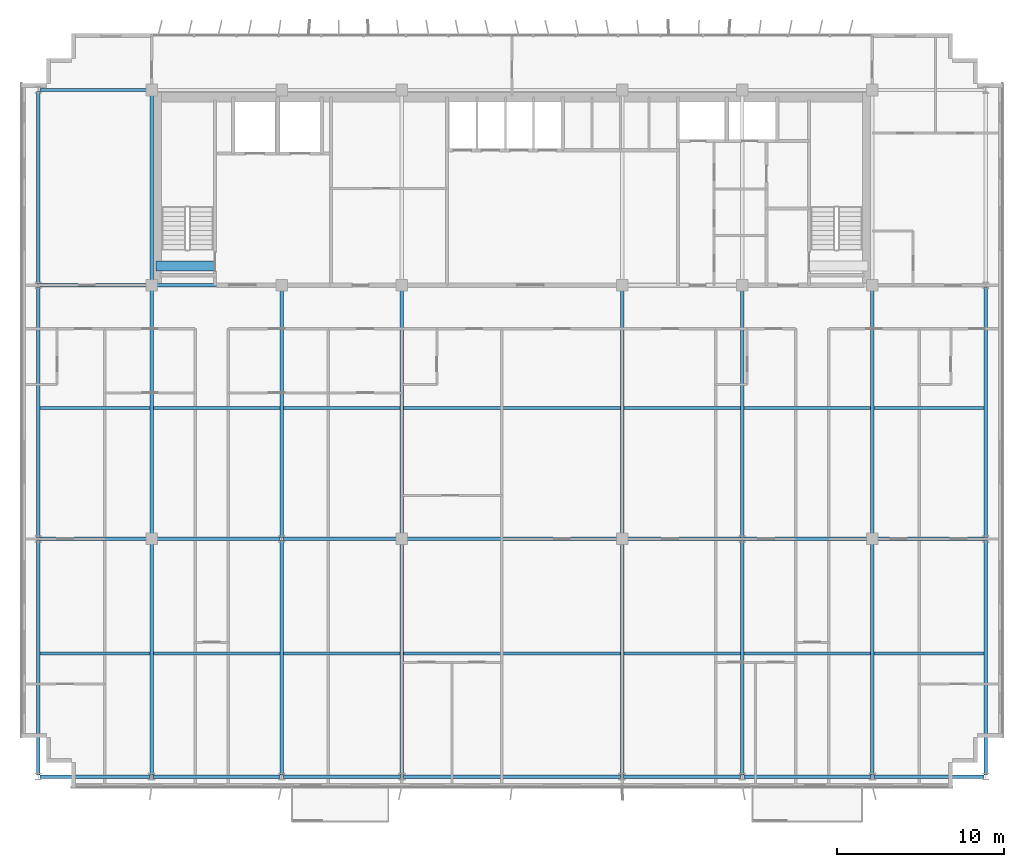
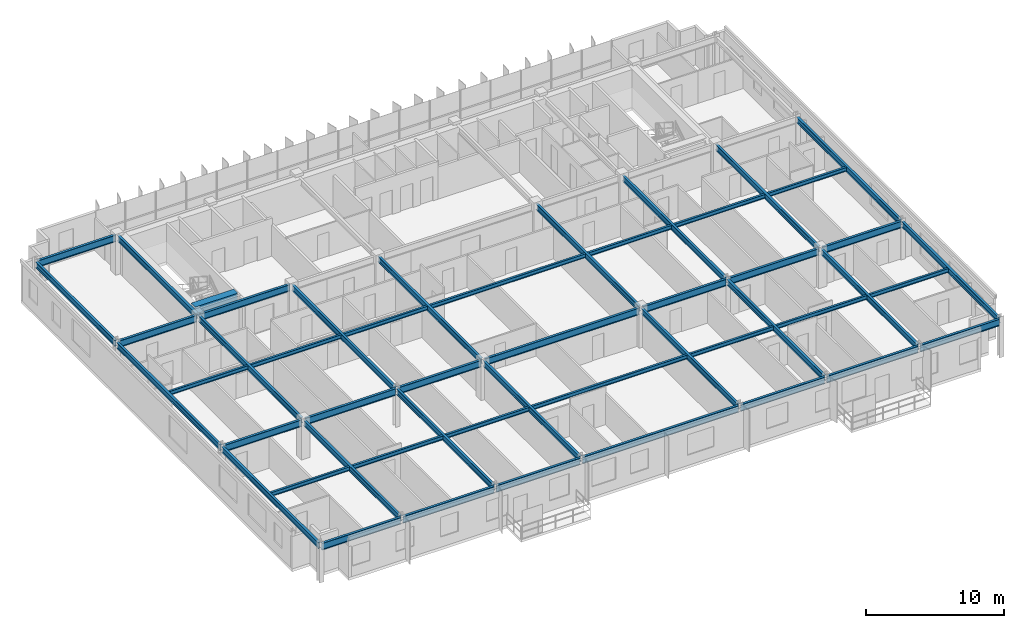
# One storey, part 3 of 21: 50 beams.
"""IFC4 building model written with IfcOpenShell, lengths in metres."""

from ifc_helpers import new_model, si_unit, direction, frame, origin, origin_2d, place, context, subcontext, project, spatial, rectangle, i_section, extrude, source, transform, mapped, material, material_profile, profile_set, type_object, element, save


model = new_model("IFC4")

# Units and contexts
model_context = context("Model", 3, precision=1e-05, world=origin(), true_north=direction((0.0, 1.0)))
body_context = subcontext(model_context, "Body", "Model", "MODEL_VIEW")
ifc_project = project(units=[si_unit("LENGTHUNIT", "METRE"), si_unit("AREAUNIT", "SQUARE_METRE"), si_unit("VOLUMEUNIT", "CUBIC_METRE"), si_unit("PLANEANGLEUNIT", "RADIAN"), si_unit("MASSUNIT", "GRAM", prefix="KILO")], contexts=[model_context])

# Site, building, storey
site_placement = place(None, origin())
site = spatial("IfcSite", under=ifc_project, at=site_placement, CompositionType="ELEMENT")
building_placement = place(site_placement, origin())
building = spatial("IfcBuilding", under=site, at=building_placement, Name="Trelvane Seafront Commons", CompositionType="ELEMENT")
storey_placement = place(building_placement, frame((0.0, 0.0, 153.699951171875)))
storey = spatial("IfcBuildingStorey", under=building, at=storey_placement, Name="L40", CompositionType="ELEMENT", Elevation=153.699951171875)

# Beams
ifc_material_1 = material(Name="Concrete C60/75", Category="concrete")
ifc_material_profile_1 = material_profile(ifc_material_1, rectangle(XDim=0.60009765625, YDim=0.89990234375, at=origin_2d()), Name="RC-600x900")
ifc_profile_set_1 = profile_set([ifc_material_profile_1], Name="Concrete C60/75")
beam_type_1 = type_object("IfcBeamType", Name="STR-LNT-RC600x900", PredefinedType="LINTEL", material=ifc_profile_set_1)
shared_shape_1 = source(origin(), body_context, "Body", "SweptSolid", [
    extrude(rectangle(XDim=0.60009765625, YDim=0.89990234375, at=origin_2d()), origin(), (0.0, 0.0, 1.0), 3.5498046875),
])
beam_1_placement = place(storey_placement, frame((15.85009765625, 34.550048828125, 2.900146484375), z_axis=(1.0, 0.0, 0.0), x_axis=(0.0, 1.0, 0.0)))
element("IfcBeam", 1, at=beam_1_placement, inside=storey, type_object=beam_type_1, Name="L40 Core Coupling Lintel Beam CB-67", PredefinedType="LINTEL", context=body_context, shape_type="MappedRepresentation", body=[
    mapped(shared_shape_1, transform((0.0, 0.0, 0.0), x_axis=(1.0, 0.0, 0.0), y_axis=(0.0, 1.0, 0.0), z_axis=(0.0, 0.0, 1.0), scale=1.0)),
])
ifc_material_2 = material(Name="Steel SM355 (S355)", Category="steel")
ifc_material_profile_2 = material_profile(ifc_material_2, i_section(OverallWidth=0.199951171875, OverallDepth=0.5, WebThickness=0.010009765625, FlangeThickness=0.01611328125, at=origin_2d()), Name="H-500x200x10x16")
ifc_profile_set_2 = profile_set([ifc_material_profile_2], Name="Steel SM355 (S355)")
beam_type_2 = type_object("IfcBeamType", Name="STR-BM-H500", PredefinedType="BEAM", material=ifc_profile_set_2)
shared_shape_2 = source(origin(), body_context, "Body", "SweptSolid", [
    extrude(i_section(OverallWidth=0.199951171875, OverallDepth=0.5, WebThickness=0.010009765625, FlangeThickness=0.01611328125, at=origin_2d()), origin(), (0.0, 0.0, 1.0), 14.89990234375),
])
for number, where, z_axis, x_axis, name in (
    (2, (15.60009765625, 18.35009765625, 3.10009765625), (0.0, 1.0, 0.0), (-1.0, 0.0, 0.0), "L40 Primary Girder G-33"),
    (3, (30.60009765625, 18.35009765625, 3.10009765625), (0.0, 1.0, 0.0), (-1.0, 0.0, 0.0), "L40 Primary Girder G-39"),
    (4, (43.800048828125, 18.35009765625, 3.10009765625), (0.0, 1.0, 0.0), (-1.0, 0.0, 0.0), "L40 Primary Girder G-42"),
    (5, (58.800048828125, 18.35009765625, 3.10009765625), (0.0, 1.0, 0.0), (-1.0, 0.0, 0.0), "L40 Primary Girder G-48"),
):
    element("IfcBeam", number, at=place(storey_placement, frame(where, z_axis=z_axis, x_axis=x_axis)), inside=storey, type_object=beam_type_2, Name=name, PredefinedType="BEAM", context=body_context, shape_type="MappedRepresentation", body=[
        mapped(shared_shape_2, transform((0.0, 0.0, 0.0), x_axis=(1.0, 0.0, 0.0), y_axis=(0.0, 1.0, 0.0), z_axis=(0.0, 0.0, 1.0), scale=1.0)),
    ])
shared_shape_3 = source(origin(), body_context, "Body", "SweptSolid", [
    extrude(i_section(OverallWidth=0.199951171875, OverallDepth=0.5, WebThickness=0.010009765625, FlangeThickness=0.01611328125, at=origin_2d()), origin(), (0.0, 0.0, 1.0), 11.39990234375),
])
beam_2_placement = place(storey_placement, frame((15.60009765625, 33.550048828125, 3.10009765625), z_axis=(0.0, 1.0, 0.0), x_axis=(-1.0, 0.0, 0.0)))
element("IfcBeam", 6, at=beam_2_placement, inside=storey, type_object=beam_type_2, Name="L40 Primary Girder G-34", PredefinedType="BEAM", context=body_context, shape_type="MappedRepresentation", body=[
    mapped(shared_shape_3, transform((0.0, 0.0, 0.0), x_axis=(1.0, 0.0, 0.0), y_axis=(0.0, 1.0, 0.0), z_axis=(0.0, 0.0, 1.0), scale=1.0)),
])
ifc_material_profile_3 = material_profile(ifc_material_2, i_section(OverallWidth=0.175048828125, OverallDepth=0.35009765625, WebThickness=0.007080078125, FlangeThickness=0.010986328125, at=origin_2d()), Name="H-350x175x7x11")
ifc_profile_set_3 = profile_set([ifc_material_profile_3], Name="Steel SM355 (S355)")
beam_type_3 = type_object("IfcBeamType", Name="STR-JST-H350", PredefinedType="JOIST", material=ifc_profile_set_3)
shared_shape_4 = source(origin(), body_context, "Body", "SweptSolid", [
    extrude(i_section(OverallWidth=0.175048828125, OverallDepth=0.35009765625, WebThickness=0.007080078125, FlangeThickness=0.010986328125, at=origin_2d()), origin(), (0.0, 0.0, 1.0), 6.60009765625),
])
for number, where, z_axis, x_axis, name in (
    (7, (8.89990234375, 11.324951171875, 3.175048828125), (1.0, 0.0, 0.0), (0.0, 1.0, 0.0), "L40 Secondary Floor Joist B-53"),
    (8, (58.89990234375, 11.324951171875, 3.175048828125), (1.0, 0.0, 0.0), (0.0, 1.0, 0.0), "L40 Secondary Floor Joist B-59"),
    (9, (8.89990234375, 26.050048828125, 3.175048828125), (1.0, 0.0, 0.0), (0.0, 1.0, 0.0), "L40 Secondary Floor Joist B-60"),
    (10, (58.89990234375, 26.050048828125, 3.175048828125), (1.0, 0.0, 0.0), (0.0, 1.0, 0.0), "L40 Secondary Floor Joist B-66"),
):
    element("IfcBeam", number, at=place(storey_placement, frame(where, z_axis=z_axis, x_axis=x_axis)), inside=storey, type_object=beam_type_3, Name=name, PredefinedType="JOIST", context=body_context, shape_type="MappedRepresentation", body=[
        mapped(shared_shape_4, transform((0.0, 0.0, 0.0), x_axis=(1.0, 0.0, 0.0), y_axis=(0.0, 1.0, 0.0), z_axis=(0.0, 0.0, 1.0), scale=1.0)),
    ])
shared_shape_5 = source(origin(), body_context, "Body", "SweptSolid", [
    extrude(i_section(OverallWidth=0.175048828125, OverallDepth=0.35009765625, WebThickness=0.007080078125, FlangeThickness=0.010986328125, at=origin_2d()), origin(), (0.0, 0.0, 1.0), 7.60009765625),
])
for number, where, z_axis, x_axis, name in (
    (11, (15.699951171875, 11.324951171875, 3.175048828125), (1.0, 0.0, 0.0), (0.0, 1.0, 0.0), "L40 Secondary Floor Joist B-54"),
    (12, (15.699951171875, 26.050048828125, 3.175048828125), (1.0, 0.0, 0.0), (0.0, 1.0, 0.0), "L40 Secondary Floor Joist B-61"),
):
    element("IfcBeam", number, at=place(storey_placement, frame(where, z_axis=z_axis, x_axis=x_axis)), inside=storey, type_object=beam_type_3, Name=name, PredefinedType="JOIST", context=body_context, shape_type="MappedRepresentation", body=[
        mapped(shared_shape_5, transform((0.0, 0.0, 0.0), x_axis=(1.0, 0.0, 0.0), y_axis=(0.0, 1.0, 0.0), z_axis=(0.0, 0.0, 1.0), scale=1.0)),
    ])
shared_shape_6 = source(origin(), body_context, "Body", "SweptSolid", [
    extrude(i_section(OverallWidth=0.175048828125, OverallDepth=0.35009765625, WebThickness=0.007080078125, FlangeThickness=0.010986328125, at=origin_2d()), origin(), (0.0, 0.0, 1.0), 7.0),
])
for number, where, z_axis, x_axis, name in (
    (13, (23.5, 11.324951171875, 3.175048828125), (1.0, 0.0, 0.0), (0.0, 1.0, 0.0), "L40 Secondary Floor Joist B-55"),
    (14, (43.89990234375, 11.324951171875, 3.175048828125), (1.0, 0.0, 0.0), (0.0, 1.0, 0.0), "L40 Secondary Floor Joist B-57"),
    (15, (23.5, 26.050048828125, 3.175048828125), (1.0, 0.0, 0.0), (0.0, 1.0, 0.0), "L40 Secondary Floor Joist B-62"),
    (16, (43.89990234375, 26.050048828125, 3.175048828125), (1.0, 0.0, 0.0), (0.0, 1.0, 0.0), "L40 Secondary Floor Joist B-64"),
):
    element("IfcBeam", number, at=place(storey_placement, frame(where, z_axis=z_axis, x_axis=x_axis)), inside=storey, type_object=beam_type_3, Name=name, PredefinedType="JOIST", context=body_context, shape_type="MappedRepresentation", body=[
        mapped(shared_shape_6, transform((0.0, 0.0, 0.0), x_axis=(1.0, 0.0, 0.0), y_axis=(0.0, 1.0, 0.0), z_axis=(0.0, 0.0, 1.0), scale=1.0)),
    ])
shared_shape_7 = source(origin(), body_context, "Body", "SweptSolid", [
    extrude(i_section(OverallWidth=0.175048828125, OverallDepth=0.35009765625, WebThickness=0.007080078125, FlangeThickness=0.010986328125, at=origin_2d()), origin(), (0.0, 0.0, 1.0), 13.0),
])
for number, where, z_axis, x_axis, name in (
    (17, (30.699951171875, 11.324951171875, 3.175048828125), (1.0, 0.0, 0.0), (0.0, 1.0, 0.0), "L40 Secondary Floor Joist B-56"),
    (18, (30.699951171875, 26.050048828125, 3.175048828125), (1.0, 0.0, 0.0), (0.0, 1.0, 0.0), "L40 Secondary Floor Joist B-63"),
):
    element("IfcBeam", number, at=place(storey_placement, frame(where, z_axis=z_axis, x_axis=x_axis)), inside=storey, type_object=beam_type_3, Name=name, PredefinedType="JOIST", context=body_context, shape_type="MappedRepresentation", body=[
        mapped(shared_shape_7, transform((0.0, 0.0, 0.0), x_axis=(1.0, 0.0, 0.0), y_axis=(0.0, 1.0, 0.0), z_axis=(0.0, 0.0, 1.0), scale=1.0)),
    ])
shared_shape_8 = source(origin(), body_context, "Body", "SweptSolid", [
    extrude(i_section(OverallWidth=0.175048828125, OverallDepth=0.35009765625, WebThickness=0.007080078125, FlangeThickness=0.010986328125, at=origin_2d()), origin(), (0.0, 0.0, 1.0), 7.599853515625),
])
for number, where, z_axis, x_axis, name in (
    (19, (51.10009765625, 11.324951171875, 3.175048828125), (1.0, 0.0, 0.0), (0.0, 1.0, 0.0), "L40 Secondary Floor Joist B-58"),
    (20, (51.10009765625, 26.050048828125, 3.175048828125), (1.0, 0.0, 0.0), (0.0, 1.0, 0.0), "L40 Secondary Floor Joist B-65"),
):
    element("IfcBeam", number, at=place(storey_placement, frame(where, z_axis=z_axis, x_axis=x_axis)), inside=storey, type_object=beam_type_3, Name=name, PredefinedType="JOIST", context=body_context, shape_type="MappedRepresentation", body=[
        mapped(shared_shape_8, transform((0.0, 0.0, 0.0), x_axis=(1.0, 0.0, 0.0), y_axis=(0.0, 1.0, 0.0), z_axis=(0.0, 0.0, 1.0), scale=1.0)),
    ])
ifc_material_profile_4 = material_profile(ifc_material_2, i_section(OverallWidth=0.199951171875, OverallDepth=0.60009765625, WebThickness=0.010986328125, FlangeThickness=0.01708984375, at=origin_2d()), Name="H-600x200x11x17")
ifc_profile_set_4 = profile_set([ifc_material_profile_4], Name="Steel SM355 (S355)")
beam_type_4 = type_object("IfcBeamType", Name="STR-SPD-H600", PredefinedType="SPANDREL", material=ifc_profile_set_4)
shared_shape_9 = source(origin(), body_context, "Body", "SweptSolid", [
    extrude(i_section(OverallWidth=0.199951171875, OverallDepth=0.60009765625, WebThickness=0.010986328125, FlangeThickness=0.01708984375, at=origin_2d()), origin(), (0.0, 0.0, 1.0), 6.60986328125),
])
for number, where, z_axis, x_axis, name in (
    (21, (8.89501953125, 3.949951171875, 3.050048828125), (1.0, 0.0, 0.0), (0.0, 1.0, 0.0), "L40 Primary Girder G-01"),
    (22, (58.89501953125, 3.949951171875, 3.050048828125), (1.0, 0.0, 0.0), (0.0, 1.0, 0.0), "L40 Primary Girder G-07"),
):
    element("IfcBeam", number, at=place(storey_placement, frame(where, z_axis=z_axis, x_axis=x_axis)), inside=storey, type_object=beam_type_4, Name=name, PredefinedType="SPANDREL", context=body_context, shape_type="MappedRepresentation", body=[
        mapped(shared_shape_9, transform((0.0, 0.0, 0.0), x_axis=(1.0, 0.0, 0.0), y_axis=(0.0, 1.0, 0.0), z_axis=(0.0, 0.0, 1.0), scale=1.0)),
    ])
shared_shape_10 = source(origin(), body_context, "Body", "SweptSolid", [
    extrude(i_section(OverallWidth=0.199951171875, OverallDepth=0.60009765625, WebThickness=0.010986328125, FlangeThickness=0.01708984375, at=origin_2d()), origin(), (0.0, 0.0, 1.0), 7.60986328125),
])
beam_3_placement = place(storey_placement, frame((15.695068359375, 3.949951171875, 3.050048828125), z_axis=(1.0, 0.0, 0.0), x_axis=(0.0, 1.0, 0.0)))
element("IfcBeam", 23, at=beam_3_placement, inside=storey, type_object=beam_type_4, Name="L40 Primary Girder G-02", PredefinedType="SPANDREL", context=body_context, shape_type="MappedRepresentation", body=[
    mapped(shared_shape_10, transform((0.0, 0.0, 0.0), x_axis=(1.0, 0.0, 0.0), y_axis=(0.0, 1.0, 0.0), z_axis=(0.0, 0.0, 1.0), scale=1.0)),
])
shared_shape_11 = source(origin(), body_context, "Body", "SweptSolid", [
    extrude(i_section(OverallWidth=0.199951171875, OverallDepth=0.60009765625, WebThickness=0.010986328125, FlangeThickness=0.01708984375, at=origin_2d()), origin(), (0.0, 0.0, 1.0), 7.009765625),
])
beam_4_placement = place(storey_placement, frame((23.4951171875, 3.949951171875, 3.050048828125), z_axis=(1.0, 0.0, 0.0), x_axis=(0.0, 1.0, 0.0)))
element("IfcBeam", 24, at=beam_4_placement, inside=storey, type_object=beam_type_4, Name="L40 Primary Girder G-03", PredefinedType="SPANDREL", context=body_context, shape_type="MappedRepresentation", body=[
    mapped(shared_shape_11, transform((0.0, 0.0, 0.0), x_axis=(1.0, 0.0, 0.0), y_axis=(0.0, 1.0, 0.0), z_axis=(0.0, 0.0, 1.0), scale=1.0)),
])
shared_shape_12 = source(origin(), body_context, "Body", "SweptSolid", [
    extrude(i_section(OverallWidth=0.199951171875, OverallDepth=0.60009765625, WebThickness=0.010986328125, FlangeThickness=0.01708984375, at=origin_2d()), origin(), (0.0, 0.0, 1.0), 13.010009765625),
])
beam_5_placement = place(storey_placement, frame((30.695068359375, 3.949951171875, 3.050048828125), z_axis=(1.0, 0.0, 0.0), x_axis=(0.0, 1.0, 0.0)))
element("IfcBeam", 25, at=beam_5_placement, inside=storey, type_object=beam_type_4, Name="L40 Primary Girder G-04", PredefinedType="SPANDREL", context=body_context, shape_type="MappedRepresentation", body=[
    mapped(shared_shape_12, transform((0.0, 0.0, 0.0), x_axis=(1.0, 0.0, 0.0), y_axis=(0.0, 1.0, 0.0), z_axis=(0.0, 0.0, 1.0), scale=1.0)),
])
shared_shape_13 = source(origin(), body_context, "Body", "SweptSolid", [
    extrude(i_section(OverallWidth=0.199951171875, OverallDepth=0.60009765625, WebThickness=0.010986328125, FlangeThickness=0.01708984375, at=origin_2d()), origin(), (0.0, 0.0, 1.0), 7.010009765625),
])
beam_6_placement = place(storey_placement, frame((43.89501953125, 3.949951171875, 3.050048828125), z_axis=(1.0, 0.0, 0.0), x_axis=(0.0, 1.0, 0.0)))
element("IfcBeam", 26, at=beam_6_placement, inside=storey, type_object=beam_type_4, Name="L40 Primary Girder G-05", PredefinedType="SPANDREL", context=body_context, shape_type="MappedRepresentation", body=[
    mapped(shared_shape_13, transform((0.0, 0.0, 0.0), x_axis=(1.0, 0.0, 0.0), y_axis=(0.0, 1.0, 0.0), z_axis=(0.0, 0.0, 1.0), scale=1.0)),
])
shared_shape_14 = source(origin(), body_context, "Body", "SweptSolid", [
    extrude(i_section(OverallWidth=0.199951171875, OverallDepth=0.60009765625, WebThickness=0.010986328125, FlangeThickness=0.01708984375, at=origin_2d()), origin(), (0.0, 0.0, 1.0), 7.610107421875),
])
beam_7_placement = place(storey_placement, frame((51.094970703125, 3.949951171875, 3.050048828125), z_axis=(1.0, 0.0, 0.0), x_axis=(0.0, 1.0, 0.0)))
element("IfcBeam", 27, at=beam_7_placement, inside=storey, type_object=beam_type_4, Name="L40 Primary Girder G-06", PredefinedType="SPANDREL", context=body_context, shape_type="MappedRepresentation", body=[
    mapped(shared_shape_14, transform((0.0, 0.0, 0.0), x_axis=(1.0, 0.0, 0.0), y_axis=(0.0, 1.0, 0.0), z_axis=(0.0, 0.0, 1.0), scale=1.0)),
])
shared_shape_15 = source(origin(), body_context, "Body", "SweptSolid", [
    extrude(i_section(OverallWidth=0.199951171875, OverallDepth=0.60009765625, WebThickness=0.010986328125, FlangeThickness=0.01708984375, at=origin_2d()), origin(), (0.0, 0.0, 1.0), 6.554931640625),
])
for number, where, z_axis, x_axis, name in (
    (28, (8.89501953125, 18.199951171875, 3.050048828125), (1.0, 0.0, 0.0), (0.0, 1.0, 0.0), "L40 Primary Girder G-08"),
    (29, (58.949951171875, 18.199951171875, 3.050048828125), (1.0, 0.0, 0.0), (0.0, 1.0, 0.0), "L40 Primary Girder G-14"),
    (30, (8.89501953125, 33.39990234375, 3.050048828125), (1.0, 0.0, 0.0), (0.0, 1.0, 0.0), "L40 Primary Girder G-15"),
    (31, (8.89501953125, 45.10009765625, 3.050048828125), (1.0, 0.0, 0.0), (0.0, 1.0, 0.0), "L40 Primary Girder G-22"),
):
    element("IfcBeam", number, at=place(storey_placement, frame(where, z_axis=z_axis, x_axis=x_axis)), inside=storey, type_object=beam_type_4, Name=name, PredefinedType="SPANDREL", context=body_context, shape_type="MappedRepresentation", body=[
        mapped(shared_shape_15, transform((0.0, 0.0, 0.0), x_axis=(1.0, 0.0, 0.0), y_axis=(0.0, 1.0, 0.0), z_axis=(0.0, 0.0, 1.0), scale=1.0)),
    ])
shared_shape_16 = source(origin(), body_context, "Body", "SweptSolid", [
    extrude(i_section(OverallWidth=0.199951171875, OverallDepth=0.60009765625, WebThickness=0.010986328125, FlangeThickness=0.01708984375, at=origin_2d()), origin(), (0.0, 0.0, 1.0), 7.554931640625),
])
for number, where, z_axis, x_axis, name in (
    (32, (15.75, 18.199951171875, 3.050048828125), (1.0, 0.0, 0.0), (0.0, 1.0, 0.0), "L40 Primary Girder G-09"),
    (33, (51.094970703125, 18.199951171875, 3.050048828125), (1.0, 0.0, 0.0), (0.0, 1.0, 0.0), "L40 Primary Girder G-13"),
):
    element("IfcBeam", number, at=place(storey_placement, frame(where, z_axis=z_axis, x_axis=x_axis)), inside=storey, type_object=beam_type_4, Name=name, PredefinedType="SPANDREL", context=body_context, shape_type="MappedRepresentation", body=[
        mapped(shared_shape_16, transform((0.0, 0.0, 0.0), x_axis=(1.0, 0.0, 0.0), y_axis=(0.0, 1.0, 0.0), z_axis=(0.0, 0.0, 1.0), scale=1.0)),
    ])
shared_shape_17 = source(origin(), body_context, "Body", "SweptSolid", [
    extrude(i_section(OverallWidth=0.199951171875, OverallDepth=0.60009765625, WebThickness=0.010986328125, FlangeThickness=0.01708984375, at=origin_2d()), origin(), (0.0, 0.0, 1.0), 6.954833984375),
])
beam_8_placement = place(storey_placement, frame((23.4951171875, 18.199951171875, 3.050048828125), z_axis=(1.0, 0.0, 0.0), x_axis=(0.0, 1.0, 0.0)))
element("IfcBeam", 34, at=beam_8_placement, inside=storey, type_object=beam_type_4, Name="L40 Primary Girder G-10", PredefinedType="SPANDREL", context=body_context, shape_type="MappedRepresentation", body=[
    mapped(shared_shape_17, transform((0.0, 0.0, 0.0), x_axis=(1.0, 0.0, 0.0), y_axis=(0.0, 1.0, 0.0), z_axis=(0.0, 0.0, 1.0), scale=1.0)),
])
shared_shape_18 = source(origin(), body_context, "Body", "SweptSolid", [
    extrude(i_section(OverallWidth=0.199951171875, OverallDepth=0.60009765625, WebThickness=0.010986328125, FlangeThickness=0.01708984375, at=origin_2d()), origin(), (0.0, 0.0, 1.0), 12.89990234375),
])
beam_9_placement = place(storey_placement, frame((30.75, 18.199951171875, 3.050048828125), z_axis=(1.0, 0.0, 0.0), x_axis=(0.0, 1.0, 0.0)))
element("IfcBeam", 35, at=beam_9_placement, inside=storey, type_object=beam_type_4, Name="L40 Primary Girder G-11", PredefinedType="SPANDREL", context=body_context, shape_type="MappedRepresentation", body=[
    mapped(shared_shape_18, transform((0.0, 0.0, 0.0), x_axis=(1.0, 0.0, 0.0), y_axis=(0.0, 1.0, 0.0), z_axis=(0.0, 0.0, 1.0), scale=1.0)),
])
shared_shape_19 = source(origin(), body_context, "Body", "SweptSolid", [
    extrude(i_section(OverallWidth=0.199951171875, OverallDepth=0.60009765625, WebThickness=0.010986328125, FlangeThickness=0.01708984375, at=origin_2d()), origin(), (0.0, 0.0, 1.0), 6.955078125),
])
beam_10_placement = place(storey_placement, frame((43.949951171875, 18.199951171875, 3.050048828125), z_axis=(1.0, 0.0, 0.0), x_axis=(0.0, 1.0, 0.0)))
element("IfcBeam", 36, at=beam_10_placement, inside=storey, type_object=beam_type_4, Name="L40 Primary Girder G-12", PredefinedType="SPANDREL", context=body_context, shape_type="MappedRepresentation", body=[
    mapped(shared_shape_19, transform((0.0, 0.0, 0.0), x_axis=(1.0, 0.0, 0.0), y_axis=(0.0, 1.0, 0.0), z_axis=(0.0, 0.0, 1.0), scale=1.0)),
])
shared_shape_20 = source(origin(), body_context, "Body", "SweptSolid", [
    extrude(i_section(OverallWidth=0.199951171875, OverallDepth=0.60009765625, WebThickness=0.010986328125, FlangeThickness=0.01708984375, at=origin_2d()), origin(), (0.0, 0.0, 1.0), 7.5),
])
beam_11_placement = place(storey_placement, frame((15.75, 33.39990234375, 3.050048828125), z_axis=(1.0, 0.0, 0.0), x_axis=(0.0, 1.0, 0.0)))
element("IfcBeam", 37, at=beam_11_placement, inside=storey, type_object=beam_type_4, Name="L40 Primary Girder G-16", PredefinedType="SPANDREL", context=body_context, shape_type="MappedRepresentation", body=[
    mapped(shared_shape_20, transform((0.0, 0.0, 0.0), x_axis=(1.0, 0.0, 0.0), y_axis=(0.0, 1.0, 0.0), z_axis=(0.0, 0.0, 1.0), scale=1.0)),
])
shared_shape_21 = source(origin(), body_context, "Body", "SweptSolid", [
    extrude(i_section(OverallWidth=0.199951171875, OverallDepth=0.5, WebThickness=0.010009765625, FlangeThickness=0.01611328125, at=origin_2d()), origin(), (0.0, 0.0, 1.0), 14.06005859375),
])
for number, where, z_axis, x_axis, name in (
    (38, (8.800048828125, 4.044921875, 3.10009765625), (0.0, 1.0, 0.0), (-1.0, 0.0, 0.0), "L40 Primary Girder G-29"),
    (39, (23.39990234375, 4.044921875, 3.10009765625), (0.0, 1.0, 0.0), (-1.0, 0.0, 0.0), "L40 Primary Girder G-35"),
    (40, (51.0, 4.044921875, 3.10009765625), (0.0, 1.0, 0.0), (-1.0, 0.0, 0.0), "L40 Primary Girder G-44"),
    (41, (65.60009765625, 4.044921875, 3.10009765625), (0.0, 1.0, 0.0), (-1.0, 0.0, 0.0), "L40 Primary Girder G-50"),
):
    element("IfcBeam", number, at=place(storey_placement, frame(where, z_axis=z_axis, x_axis=x_axis)), inside=storey, type_object=beam_type_2, Name=name, PredefinedType="BEAM", context=body_context, shape_type="MappedRepresentation", body=[
        mapped(shared_shape_21, transform((0.0, 0.0, 0.0), x_axis=(1.0, 0.0, 0.0), y_axis=(0.0, 1.0, 0.0), z_axis=(0.0, 0.0, 1.0), scale=1.0)),
    ])
shared_shape_22 = source(origin(), body_context, "Body", "SweptSolid", [
    extrude(i_section(OverallWidth=0.199951171875, OverallDepth=0.5, WebThickness=0.010009765625, FlangeThickness=0.01611328125, at=origin_2d()), origin(), (0.0, 0.0, 1.0), 15.010009765625),
])
for number, where, z_axis, x_axis, name in (
    (42, (8.800048828125, 18.294921875, 3.10009765625), (0.0, 1.0, 0.0), (-1.0, 0.0, 0.0), "L40 Primary Girder G-30"),
    (43, (65.60009765625, 18.294921875, 3.10009765625), (0.0, 1.0, 0.0), (-1.0, 0.0, 0.0), "L40 Primary Girder G-51"),
):
    element("IfcBeam", number, at=place(storey_placement, frame(where, z_axis=z_axis, x_axis=x_axis)), inside=storey, type_object=beam_type_2, Name=name, PredefinedType="BEAM", context=body_context, shape_type="MappedRepresentation", body=[
        mapped(shared_shape_22, transform((0.0, 0.0, 0.0), x_axis=(1.0, 0.0, 0.0), y_axis=(0.0, 1.0, 0.0), z_axis=(0.0, 0.0, 1.0), scale=1.0)),
    ])
shared_shape_23 = source(origin(), body_context, "Body", "SweptSolid", [
    extrude(i_section(OverallWidth=0.199951171875, OverallDepth=0.5, WebThickness=0.010009765625, FlangeThickness=0.01611328125, at=origin_2d()), origin(), (0.0, 0.0, 1.0), 11.509765625),
])
beam_12_placement = place(storey_placement, frame((8.800048828125, 33.4951171875, 3.10009765625), z_axis=(0.0, 1.0, 0.0), x_axis=(-1.0, 0.0, 0.0)))
element("IfcBeam", 44, at=beam_12_placement, inside=storey, type_object=beam_type_2, Name="L40 Primary Girder G-31", PredefinedType="BEAM", context=body_context, shape_type="MappedRepresentation", body=[
    mapped(shared_shape_23, transform((0.0, 0.0, 0.0), x_axis=(1.0, 0.0, 0.0), y_axis=(0.0, 1.0, 0.0), z_axis=(0.0, 0.0, 1.0), scale=1.0)),
])
shared_shape_24 = source(origin(), body_context, "Body", "SweptSolid", [
    extrude(i_section(OverallWidth=0.199951171875, OverallDepth=0.5, WebThickness=0.010009765625, FlangeThickness=0.01611328125, at=origin_2d()), origin(), (0.0, 0.0, 1.0), 14.005126953125),
])
for number, where, z_axis, x_axis, name in (
    (45, (15.60009765625, 4.044921875, 3.10009765625), (0.0, 1.0, 0.0), (-1.0, 0.0, 0.0), "L40 Primary Girder G-32"),
    (46, (30.60009765625, 4.044921875, 3.10009765625), (0.0, 1.0, 0.0), (-1.0, 0.0, 0.0), "L40 Primary Girder G-38"),
    (47, (43.800048828125, 4.044921875, 3.10009765625), (0.0, 1.0, 0.0), (-1.0, 0.0, 0.0), "L40 Primary Girder G-41"),
    (48, (58.800048828125, 4.044921875, 3.10009765625), (0.0, 1.0, 0.0), (-1.0, 0.0, 0.0), "L40 Primary Girder G-47"),
):
    element("IfcBeam", number, at=place(storey_placement, frame(where, z_axis=z_axis, x_axis=x_axis)), inside=storey, type_object=beam_type_2, Name=name, PredefinedType="BEAM", context=body_context, shape_type="MappedRepresentation", body=[
        mapped(shared_shape_24, transform((0.0, 0.0, 0.0), x_axis=(1.0, 0.0, 0.0), y_axis=(0.0, 1.0, 0.0), z_axis=(0.0, 0.0, 1.0), scale=1.0)),
    ])
shared_shape_25 = source(origin(), body_context, "Body", "SweptSolid", [
    extrude(i_section(OverallWidth=0.199951171875, OverallDepth=0.5, WebThickness=0.010009765625, FlangeThickness=0.01611328125, at=origin_2d()), origin(), (0.0, 0.0, 1.0), 14.955078125),
])
for number, where, z_axis, x_axis, name in (
    (49, (23.39990234375, 18.294921875, 3.10009765625), (0.0, 1.0, 0.0), (-1.0, 0.0, 0.0), "L40 Primary Girder G-36"),
    (50, (51.0, 18.294921875, 3.10009765625), (0.0, 1.0, 0.0), (-1.0, 0.0, 0.0), "L40 Primary Girder G-45"),
):
    element("IfcBeam", number, at=place(storey_placement, frame(where, z_axis=z_axis, x_axis=x_axis)), inside=storey, type_object=beam_type_2, Name=name, PredefinedType="BEAM", context=body_context, shape_type="MappedRepresentation", body=[
        mapped(shared_shape_25, transform((0.0, 0.0, 0.0), x_axis=(1.0, 0.0, 0.0), y_axis=(0.0, 1.0, 0.0), z_axis=(0.0, 0.0, 1.0), scale=1.0)),
    ])

save(model, "model.ifc")
